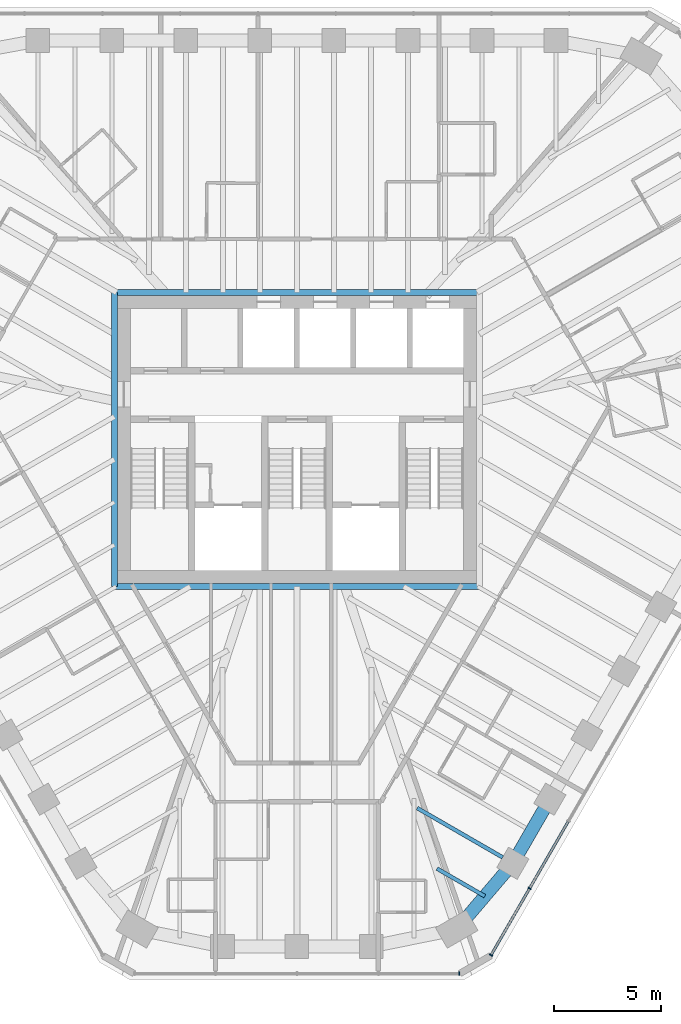
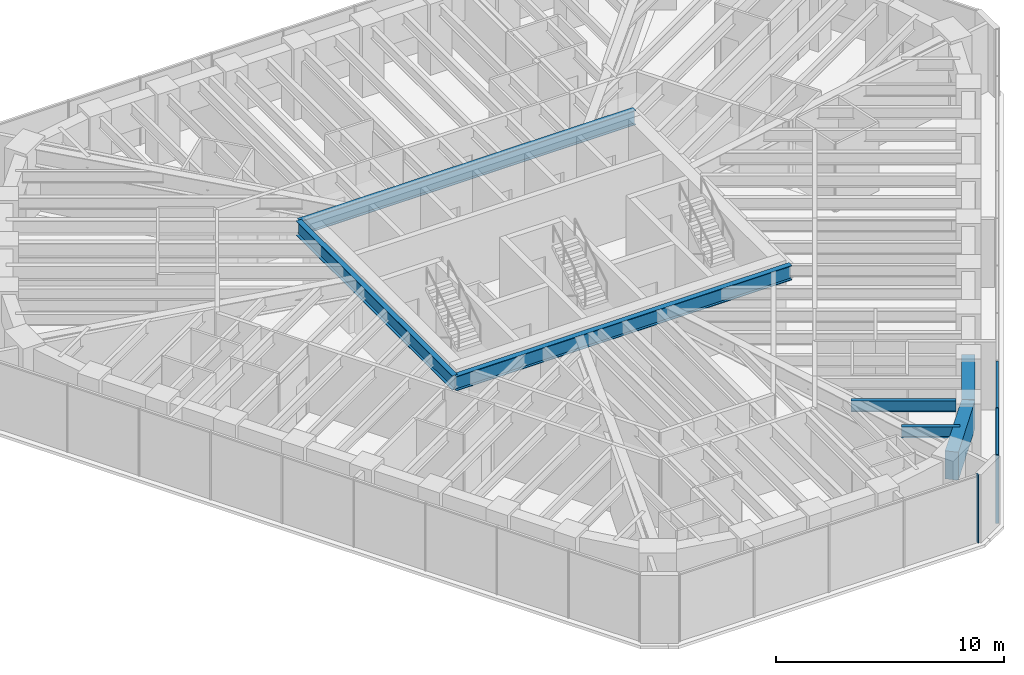
# One storey, part 4 of 14: 7 beams, 5 members, 2 elements without a shape of their own.
"""IFC4 building model written with IfcOpenShell, lengths in metres."""

from ifc_helpers import new_model, si_unit, direction, frame, origin, origin_2d, place, context, subcontext, project, spatial, rectangle, i_section, extrude, material, material_profile, profile_set, type_object, element, aggregate, save


model = new_model("IFC4")

# Units and contexts
model_context = context("Model", 3, precision=1e-05, world=origin(), true_north=direction((0.0, 1.0)))
body_context = subcontext(model_context, "Body", "Model", "MODEL_VIEW")
ifc_project = project(units=[si_unit("LENGTHUNIT", "METRE"), si_unit("AREAUNIT", "SQUARE_METRE"), si_unit("VOLUMEUNIT", "CUBIC_METRE"), si_unit("PLANEANGLEUNIT", "RADIAN"), si_unit("MASSUNIT", "GRAM", prefix="KILO")], contexts=[model_context])

# Site, building, storey
site_placement = place(None, origin())
site = spatial("IfcSite", under=ifc_project, at=site_placement, CompositionType="ELEMENT")
building_placement = place(site_placement, origin())
building = spatial("IfcBuilding", under=site, at=building_placement, Name="Sandreach Pilgrim Tower", CompositionType="ELEMENT")
storey_placement = place(building_placement, frame((0.0, 0.0, 260.800048828125)))
storey = spatial("IfcBuildingStorey", under=building, at=storey_placement, Name="L65", CompositionType="ELEMENT", Elevation=260.800048828125)

# Curtain wall, members
ifc_material_1 = material(Name="Aluminium framed curtain wall", Category="aluminium")
curtain_wall_type = type_object("IfcCurtainWallType", Name="Suite tower curtain wall", PredefinedType="NOTDEFINED", material=ifc_material_1)
curtain_wall_1_placement = place(storey_placement, origin())
curtain_wall_1 = element("IfcCurtainWall", 1, at=curtain_wall_1_placement, inside=storey, type_object=curtain_wall_type, Name="CW-4 L65 SE", PredefinedType="NOTDEFINED")
ifc_material_2 = material(Name="Aluminium extrusion", Category="aluminium")
ifc_material_profile_1 = material_profile(ifc_material_2, rectangle(XDim=0.06005859375, YDim=0.159912109375, at=origin_2d()), Name="CW-4M 60X160")
ifc_profile_set_1 = profile_set([ifc_material_profile_1], Name="Aluminium extrusion")
member_type_1 = type_object("IfcMemberType", Name="CW-4 mullion", PredefinedType="MULLION", material=ifc_profile_set_1)
member_1_placement = place(storey_placement, frame((10.83203125, -20.891357421875, 0.0), z_axis=(0.0, 0.0, 1.0), x_axis=(-0.5, -0.866025403784, 0.0)))
member_1 = element("IfcMember", 2, at=member_1_placement, type_object=member_type_1, Name="CW-4 mullion 9", PredefinedType="MULLION", context=body_context, shape_type="SweptSolid", body=[
    extrude(rectangle(XDim=0.06005859375, YDim=0.159912109375, at=origin_2d()), origin(), (0.0, 0.0, 1.0), 3.639892578125),
])
member_2_placement = place(storey_placement, frame((9.035888671875, -24.001953125, 0.0), z_axis=(0.0, 0.0, 1.0), x_axis=(-0.5, -0.866025403784, 0.0)))
member_2 = element("IfcMember", 3, at=member_2_placement, type_object=member_type_1, Name="CW-4 mullion 10", PredefinedType="MULLION", context=body_context, shape_type="SweptSolid", body=[
    extrude(rectangle(XDim=0.06005859375, YDim=0.159912109375, at=origin_2d()), origin(), (0.0, 0.0, 1.0), 3.639892578125),
])

# Curtain wall, member
curtain_wall_2_placement = place(storey_placement, origin())
curtain_wall_2 = element("IfcCurtainWall", 4, at=curtain_wall_2_placement, inside=storey, type_object=curtain_wall_type, Name="CW-4 L65 S", PredefinedType="NOTDEFINED")
member_3_placement = place(storey_placement, frame((7.553466796875, -24.858154296875, 0.0), z_axis=(0.0, 0.0, 1.0), x_axis=(-1.0, 0.0, 0.0)))
member_3 = element("IfcMember", 5, at=member_3_placement, type_object=member_type_1, Name="CW-4 mullion 1", PredefinedType="MULLION", context=body_context, shape_type="SweptSolid", body=[
    extrude(rectangle(XDim=0.06005859375, YDim=0.159912109375, at=origin_2d()), origin(), (0.0, 0.0, 1.0), 3.639892578125),
])
aggregate(curtain_wall_2, [member_3])

# Member
ifc_material_3 = material(Name="Aluminium extrusion", Category="aluminium")
ifc_material_profile_2 = material_profile(ifc_material_3, rectangle(XDim=0.1201171875, YDim=0.070068359375, at=origin_2d()), Name="CW-4T 120X70")
ifc_profile_set_2 = profile_set([ifc_material_profile_2], Name="Aluminium extrusion")
member_type_2 = type_object("IfcMemberType", Name="CW-4 transom", PredefinedType="USERDEFINED", material=ifc_profile_set_2)
member_4_placement = place(storey_placement, frame((12.6279296875, -17.78076171875, 3.60498046875), z_axis=(-0.500009219579, -0.866020080793, 0.0), x_axis=(0.866020080793, -0.500009219579, 0.0)))
member_4 = element("IfcMember", 6, at=member_4_placement, type_object=member_type_2, Name="CW-4 head transom 8", ObjectType="TRANSOM", PredefinedType="USERDEFINED", context=body_context, shape_type="SweptSolid", body=[
    extrude(rectangle(XDim=0.1201171875, YDim=0.070068359375, at=origin_2d()), origin(), (0.0, 0.0, 1.0), 3.56201171875),
])

member_5_placement = place(storey_placement, frame((10.81689453125, -20.91748046875, 3.60498046875), z_axis=(-0.499997709859, -0.866026725994, 0.0), x_axis=(0.866026725994, -0.499997709859, 0.0)))
member_5 = element("IfcMember", 7, at=member_5_placement, type_object=member_type_2, Name="CW-4 head transom 9", ObjectType="TRANSOM", PredefinedType="USERDEFINED", context=body_context, shape_type="SweptSolid", body=[
    extrude(rectangle(XDim=0.1201171875, YDim=0.070068359375, at=origin_2d()), origin(), (0.0, 0.0, 1.0), 3.53173828125),
])

aggregate(curtain_wall_1, [member_1, member_2, member_4, member_5])

# Beams
ifc_material_4 = material(Name="Steel ASTM A992 Grade 50", Category="steel")
ifc_material_profile_3 = material_profile(ifc_material_4, i_section(OverallWidth=0.2666015625, OverallDepth=0.77978515625, WebThickness=0.0166015625, FlangeThickness=0.030029296875, at=origin_2d()), Name="W30X148")
ifc_profile_set_3 = profile_set([ifc_material_profile_3], Name="Steel ASTM A992 Grade 50")
beam_type_1 = type_object("IfcBeamType", Name="Core edge beam W30X148", PredefinedType="BEAM", material=ifc_profile_set_3)
for number, where, z_axis, x_axis, name in (
    (8, (-8.493408203125, 6.84326171875, 3.25), (1.0, 0.0, 0.0), (0.0, 1.0, 0.0), "BM L65 CEN"),
    (9, (8.493408203125, -6.84326171875, 3.25), (-1.0, 0.0, 0.0), (0.0, -1.0, 0.0), "BM L65 CES"),
):
    element("IfcBeam", number, at=place(storey_placement, frame(where, z_axis=z_axis, x_axis=x_axis)), inside=storey, type_object=beam_type_1, Name=name, PredefinedType="BEAM", context=body_context, shape_type="SweptSolid", body=[
        extrude(i_section(OverallWidth=0.2666015625, OverallDepth=0.77978515625, WebThickness=0.0166015625, FlangeThickness=0.030029296875, at=origin_2d()), origin(), (0.0, 0.0, 1.0), 16.98681640625),
    ])
beam_1_placement = place(storey_placement, frame((-8.493408203125, -6.84326171875, 3.25), z_axis=(0.0, 1.0, 0.0), x_axis=(-1.0, 0.0, 0.0)))
element("IfcBeam", 10, at=beam_1_placement, inside=storey, type_object=beam_type_1, Name="BM L65 CEW", PredefinedType="BEAM", context=body_context, shape_type="SweptSolid", body=[
    extrude(i_section(OverallWidth=0.2666015625, OverallDepth=0.77978515625, WebThickness=0.0166015625, FlangeThickness=0.030029296875, at=origin_2d()), origin(), (0.0, 0.0, 1.0), 13.6865234375),
])
ifc_material_5 = material(Name="Steel ASTM A992 Grade 50", Category="steel")
ifc_material_profile_4 = material_profile(ifc_material_5, i_section(OverallWidth=0.1787109375, OverallDepth=0.60205078125, WebThickness=0.010986328125, FlangeThickness=0.014892578125, at=origin_2d()), Name="W24X62")
ifc_profile_set_4 = profile_set([ifc_material_profile_4], Name="Steel ASTM A992 Grade 50")
beam_type_2 = type_object("IfcBeamType", Name="Floor beam W24X62", PredefinedType="BEAM", material=ifc_profile_set_4)
beam_2_placement = place(storey_placement, frame((9.573974609375, -19.450439453125, 3.3388671875), z_axis=(-0.866024320471, 0.50000187635, 0.0), x_axis=(-0.50000187635, -0.866024320471, 0.0)))
element("IfcBeam", 11, at=beam_2_placement, inside=storey, type_object=beam_type_2, Name="BM L65 F21", PredefinedType="BEAM", context=body_context, shape_type="SweptSolid", body=[
    extrude(i_section(OverallWidth=0.1787109375, OverallDepth=0.60205078125, WebThickness=0.010986328125, FlangeThickness=0.014892578125, at=origin_2d()), origin(), (0.0, 0.0, 1.0), 4.58837890625),
])
beam_3_placement = place(storey_placement, frame((8.74462890625, -21.25732421875, 3.3388671875), z_axis=(-0.866041575714, 0.49997198835, 0.0), x_axis=(-0.49997198835, -0.866041575714, 0.0)))
element("IfcBeam", 12, at=beam_3_placement, inside=storey, type_object=beam_type_2, Name="BM L65 FM21", PredefinedType="BEAM", context=body_context, shape_type="SweptSolid", body=[
    extrude(i_section(OverallWidth=0.1787109375, OverallDepth=0.60205078125, WebThickness=0.010986328125, FlangeThickness=0.014892578125, at=origin_2d()), origin(), (0.0, 0.0, 1.0), 2.569091796875),
])
ifc_material_6 = material(Name="Concrete 10000 psi", Category="concrete")
ifc_material_profile_5 = material_profile(ifc_material_6, rectangle(XDim=0.60009765625, YDim=1.5, at=origin_2d()), Name="RC600X1500")
ifc_profile_set_5 = profile_set([ifc_material_profile_5], Name="Concrete 10000 psi")
beam_type_3 = type_object("IfcBeamType", Name="Spandrel beam RC600X1500", PredefinedType="SPANDREL", material=ifc_profile_set_5)
beam_4_placement = place(storey_placement, frame((11.772705078125, -16.741943359375, 2.889892578125), z_axis=(-0.499988291006, -0.866032163869, 0.0), x_axis=(0.866032163869, -0.499988291006, 0.0)))
element("IfcBeam", 13, at=beam_4_placement, inside=storey, type_object=beam_type_3, Name="BM L65 SP20", PredefinedType="SPANDREL", context=body_context, shape_type="SweptSolid", body=[
    extrude(rectangle(XDim=0.60009765625, YDim=1.5, at=origin_2d()), origin(), (0.0, 0.0, 1.0), 3.44482421875),
])
beam_5_placement = place(storey_placement, frame((10.05029296875, -19.725341796875, 2.889892578125), z_axis=(-0.648586192707, -0.761141215958, 0.0), x_axis=(0.761141215958, -0.648586192707, 0.0)))
element("IfcBeam", 14, at=beam_5_placement, inside=storey, type_object=beam_type_3, Name="BM L65 SP21", PredefinedType="SPANDREL", context=body_context, shape_type="SweptSolid", body=[
    extrude(rectangle(XDim=0.60009765625, YDim=1.5, at=origin_2d()), origin(), (0.0, 0.0, 1.0), 4.02587890625),
])

save(model, "model.ifc")
